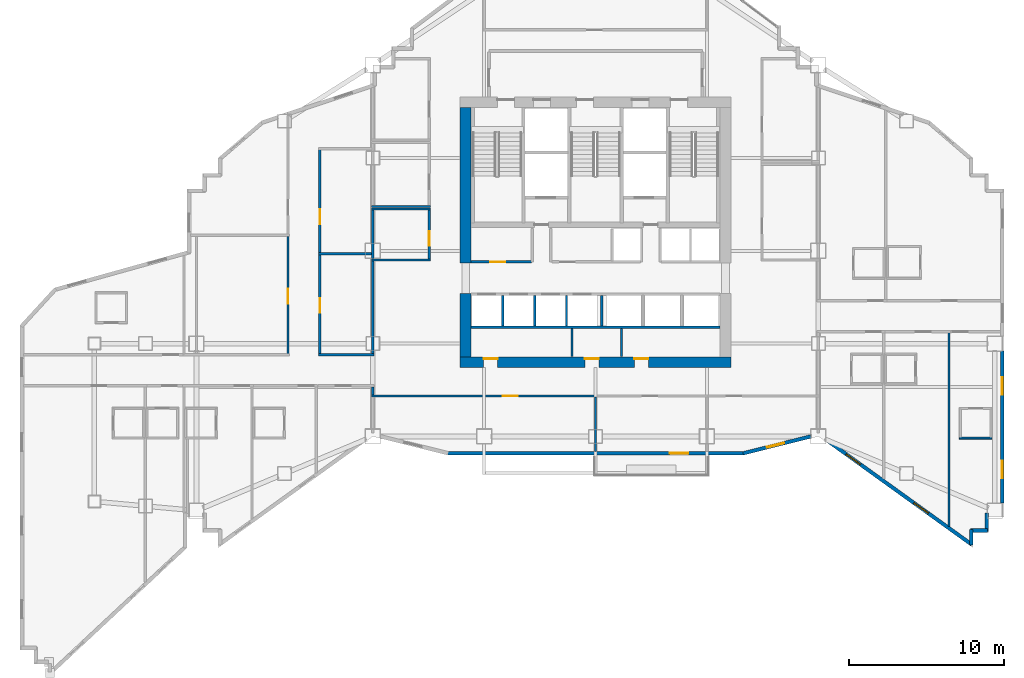
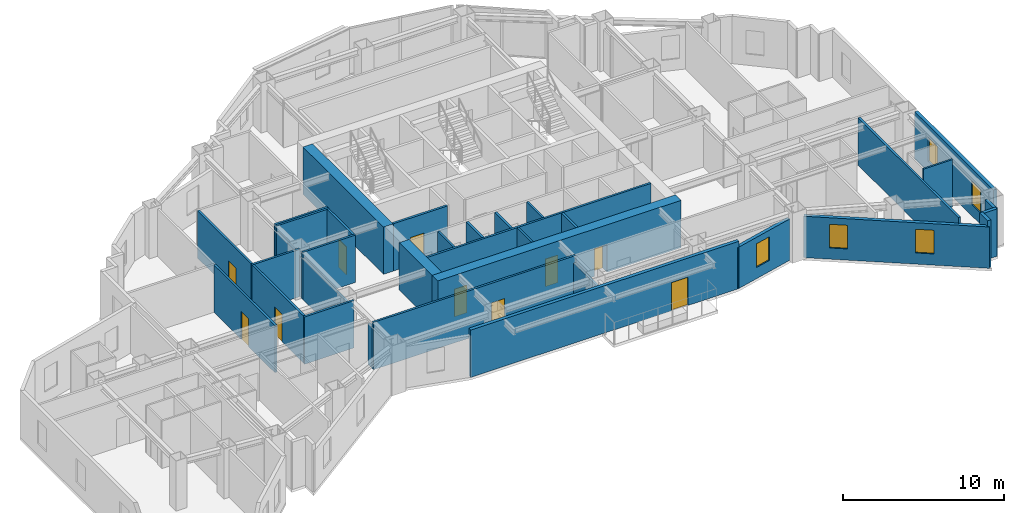
# One storey, part 8 of 14: 34 walls, 10 doors, 5 windows, 15 openings.
"""IFC4 building model written with IfcOpenShell, lengths in metres."""

from ifc_helpers import new_model, si_unit, direction, frame, frame_2d, origin, place, context, subcontext, project, spatial, rectangle, extrude, material, layer, layer_set, type_object, element, fill, save


model = new_model("IFC4")

# Units and contexts
model_context = context("Model", 3, precision=1e-05, world=origin(), true_north=direction((0.0, 1.0)))
body_context = subcontext(model_context, "Body", "Model", "MODEL_VIEW")
ifc_project = project(units=[si_unit("LENGTHUNIT", "METRE"), si_unit("AREAUNIT", "SQUARE_METRE"), si_unit("VOLUMEUNIT", "CUBIC_METRE"), si_unit("PLANEANGLEUNIT", "RADIAN"), si_unit("MASSUNIT", "GRAM", prefix="KILO")], contexts=[model_context])

# Site, building, storey
site_placement = place(None, origin())
site = spatial("IfcSite", under=ifc_project, at=site_placement, CompositionType="ELEMENT")
building_placement = place(site_placement, origin())
building = spatial("IfcBuilding", under=site, at=building_placement, Name="Haolan Belvedere Tower", CompositionType="ELEMENT")
storey_placement = place(building_placement, frame((0.0, 0.0, 141.0)))
storey = spatial("IfcBuildingStorey", under=building, at=storey_placement, Name="L35", CompositionType="ELEMENT", Elevation=141.0)

# Wall, openings, doors
ifc_material_1 = material(Name="Concrete C60/75", Category="concrete")
ifc_layer_1 = layer(ifc_material_1, 0.699951171875, Name="Concrete C60/75")
ifc_layer_set_1 = layer_set([ifc_layer_1], Name="Concrete C60/75")
wall_type_1 = type_object("IfcWallType", Name="WL-CORE-700", PredefinedType="SHEAR", material=ifc_layer_set_1)
wall_1_placement = place(storey_placement, frame((29.64990234375, 26.39990234375, 0.0), z_axis=(0.0, 0.0, 1.0), x_axis=(1.0, 0.0, 0.0)))
wall_1 = element("IfcWall", 1, at=wall_1_placement, inside=storey, type_object=wall_type_1, Name="L35 central core south shear wall", PredefinedType="SHEAR", context=body_context, shape_type="SweptSolid", body=[
    extrude(rectangle(XDim=17.5, YDim=0.699951171875, at=frame_2d((8.75, 0.0))), origin(), (0.0, 0.0, 1.0), 3.60009765625),
])
opening_1_placement = place(wall_1_placement, frame((2.419921875, 0.0, 0.0), z_axis=(0.0, 0.0, 1.0), x_axis=(-1.0, 0.0, 0.0)))
opening_1 = element("IfcOpeningElement", 2, at=opening_1_placement, cuts=wall_1, Name="Opening FD-05", PredefinedType="OPENING", context=body_context, shape_type="SweptSolid", body=[
    extrude(rectangle(XDim=0.89990234375, YDim=2.10009765625, at=frame_2d((0.449951171875, 1.050048828125))), frame((0.0, 0.35986328125, 0.0), z_axis=(0.0, -1.0, 0.0), x_axis=(1.0, 0.0, 0.0)), (0.0, 0.0, 1.0), 0.719970703125),
])
opening_2_placement = place(wall_1_placement, frame((8.9599609375, 0.0, 0.0), z_axis=(0.0, 0.0, 1.0), x_axis=(-1.0, 0.0, 0.0)))
opening_2 = element("IfcOpeningElement", 3, at=opening_2_placement, cuts=wall_1, Name="Opening FD-05", PredefinedType="OPENING", context=body_context, shape_type="SweptSolid", body=[
    extrude(rectangle(XDim=0.89990234375, YDim=2.10009765625, at=frame_2d((0.449951171875, 1.050048828125))), frame((0.0, 0.35986328125, 0.0), z_axis=(0.0, -1.0, 0.0), x_axis=(1.0, 0.0, 0.0)), (0.0, 0.0, 1.0), 0.719970703125),
])
opening_3_placement = place(wall_1_placement, frame((12.159912109375, 0.0, 0.0), z_axis=(0.0, 0.0, 1.0), x_axis=(-1.0, 0.0, 0.0)))
opening_3 = element("IfcOpeningElement", 4, at=opening_3_placement, cuts=wall_1, Name="Opening FD-05", PredefinedType="OPENING", context=body_context, shape_type="SweptSolid", body=[
    extrude(rectangle(XDim=0.89990234375, YDim=2.10009765625, at=frame_2d((0.449951171875, 1.050048828125))), frame((0.0, 0.35986328125, 0.0), z_axis=(0.0, -1.0, 0.0), x_axis=(1.0, 0.0, 0.0)), (0.0, 0.0, 1.0), 0.719970703125),
])
ifc_material_2 = material(Name="Galvanised fire-rated steel", Category="steel")
door_type_1 = type_object("IfcDoorType", Name="DR-FD60-900", OperationType="NOTDEFINED", PredefinedType="DOOR", material=ifc_material_2)
door_1_placement = place(opening_1_placement, origin())
door_1 = element("IfcDoor", 5, at=door_1_placement, inside=storey, type_object=door_type_1, Name="L35 door CD-L35-SCV-1", OperationType="SINGLE_SWING_LEFT", OverallHeight=2.10009765625, OverallWidth=0.89990234375, PredefinedType="DOOR", context=body_context, shape_type="SweptSolid", body=[
    extrude(rectangle(XDim=0.89990234375, YDim=2.10009765625, at=frame_2d((0.449951171875, 1.050048828125))), frame((0.0, -0.19482421875, 0.0), z_axis=(0.0, -1.0, 0.0), x_axis=(1.0, 0.0, 0.0)), (0.0, 0.0, 1.0), 0.050048828125),
])
fill(opening_1, door_1)
door_2_placement = place(opening_2_placement, origin())
door_2 = element("IfcDoor", 6, at=door_2_placement, inside=storey, type_object=door_type_1, Name="L35 door CD-L35-SCV-2", OperationType="SINGLE_SWING_RIGHT", OverallHeight=2.10009765625, OverallWidth=0.89990234375, PredefinedType="DOOR", context=body_context, shape_type="SweptSolid", body=[
    extrude(rectangle(XDim=0.89990234375, YDim=2.10009765625, at=frame_2d((0.449951171875, 1.050048828125))), frame((0.0, -0.19482421875, 0.0), z_axis=(0.0, -1.0, 0.0), x_axis=(1.0, 0.0, 0.0)), (0.0, 0.0, 1.0), 0.050048828125),
])
fill(opening_2, door_2)
door_3_placement = place(opening_3_placement, origin())
door_3 = element("IfcDoor", 7, at=door_3_placement, inside=storey, type_object=door_type_1, Name="L35 door CD-L35-SCV-3", OperationType="SINGLE_SWING_LEFT", OverallHeight=2.10009765625, OverallWidth=0.89990234375, PredefinedType="DOOR", context=body_context, shape_type="SweptSolid", body=[
    extrude(rectangle(XDim=0.89990234375, YDim=2.10009765625, at=frame_2d((0.449951171875, 1.050048828125))), frame((0.0, -0.19482421875, 0.0), z_axis=(0.0, -1.0, 0.0), x_axis=(1.0, 0.0, 0.0)), (0.0, 0.0, 1.0), 0.050048828125),
])
fill(opening_3, door_3)

# Walls
wall_2_placement = place(storey_placement, frame((30.0, 26.75, 0.0), z_axis=(0.0, 0.0, 1.0), x_axis=(0.0, 1.0, 0.0)))
element("IfcWall", 8, at=wall_2_placement, inside=storey, type_object=wall_type_1, Name="L35 central core shear wall WS", PredefinedType="SHEAR", context=body_context, shape_type="SweptSolid", body=[
    extrude(rectangle(XDim=4.10009765625, YDim=0.699951171875, at=frame_2d((2.050048828125, 0.0))), origin(), (0.0, 0.0, 1.0), 3.60009765625),
])
wall_3_placement = place(storey_placement, frame((30.0, 32.800048828125, 0.0), z_axis=(0.0, 0.0, 1.0), x_axis=(0.0, 1.0, 0.0)))
element("IfcWall", 9, at=wall_3_placement, inside=storey, type_object=wall_type_1, Name="L35 central core shear wall WN", PredefinedType="SHEAR", context=body_context, shape_type="SweptSolid", body=[
    extrude(rectangle(XDim=10.050048828125, YDim=0.699951171875, at=frame_2d((5.02490234375, 0.0))), origin(), (0.0, 0.0, 1.0), 3.60009765625),
])

# Wall, opening, door
ifc_material_3 = material(Name="Precast concrete C40/50", Category="concrete")
ifc_layer_2 = layer(ifc_material_3, 0.239990234375, Name="Precast concrete C40/50")
ifc_layer_set_2 = layer_set([ifc_layer_2], Name="Precast concrete C40/50")
wall_type_2 = type_object("IfcWallType", Name="WL-EXT-240", PredefinedType="SOLIDWALL", material=ifc_layer_set_2)
wall_4_placement = place(storey_placement, frame((28.759765625, 20.52001953125, 0.0), z_axis=(0.0, 0.0, 1.0), x_axis=(1.0, 0.0, 0.0)))
wall_4 = element("IfcWall", 10, at=wall_4_placement, inside=storey, type_object=wall_type_2, Name="L35 pale-metal exterior spandrel wall 7.1", PredefinedType="SOLIDWALL", context=body_context, shape_type="SweptSolid", body=[
    extrude(rectangle(XDim=19.280517578125, YDim=0.239990234375, at=frame_2d((9.64013671875, 0.0))), origin(), (0.0, 0.0, 1.0), 3.60009765625),
])
opening_4_placement = place(wall_4_placement, frame((15.64013671875, 0.0, 0.0), z_axis=(0.0, 0.0, 1.0), x_axis=(-1.0, 0.0, 0.0)))
opening_4 = element("IfcOpeningElement", 11, at=opening_4_placement, cuts=wall_4, Name="Opening BD-01", PredefinedType="OPENING", context=body_context, shape_type="SweptSolid", body=[
    extrude(rectangle(XDim=1.199951171875, YDim=2.14990234375, at=frame_2d((0.60009765625, 1.074951171875))), frame((0.0, 0.1298828125, 0.0), z_axis=(0.0, -1.0, 0.0), x_axis=(1.0, 0.0, 0.0)), (0.0, 0.0, 1.0), 0.260009765625),
])
ifc_material_4 = material(Name="Thermally broken pale-metal aluminium and Low-E glass", Category="aluminium")
door_type_2 = type_object("IfcDoorType", Name="DR-BAL-1200", OperationType="NOTDEFINED", PredefinedType="DOOR", material=ifc_material_4)
door_4_placement = place(opening_4_placement, origin())
door_4 = element("IfcDoor", 12, at=door_4_placement, inside=storey, type_object=door_type_2, Name="L35 tree-balcony access door 1", OperationType="SINGLE_SWING_LEFT", OverallHeight=2.14990234375, OverallWidth=1.199951171875, PredefinedType="DOOR", context=body_context, shape_type="SweptSolid", body=[
    extrude(rectangle(XDim=1.199951171875, YDim=2.14990234375, at=frame_2d((0.60009765625, 1.074951171875))), frame((0.0, 0.02490234375, 0.0), z_axis=(0.0, -1.0, 0.0), x_axis=(1.0, 0.0, 0.0)), (0.0, 0.0, 1.0), 0.050048828125),
])
fill(opening_4, door_4)

# Wall, opening, window
wall_5_placement = place(storey_placement, frame((47.931884765625, 20.506591796875, 0.0), z_axis=(0.0, 0.0, 1.0), x_axis=(0.970145683738, 0.242522890311, 0.0)))
wall_5 = element("IfcWall", 13, at=wall_5_placement, inside=storey, type_object=wall_type_2, Name="L35 pale-metal exterior spandrel wall 8.1", PredefinedType="SOLIDWALL", context=body_context, shape_type="SweptSolid", body=[
    extrude(rectangle(XDim=4.510986328125, YDim=0.239990234375, at=frame_2d((2.25537109375, 0.0))), origin(), (0.0, 0.0, 1.0), 3.14501953125),
])
opening_5_placement = place(wall_5_placement, frame((1.60009765625, 0.0, 0.85009765625)))
opening_5 = element("IfcOpeningElement", 14, at=opening_5_placement, cuts=wall_5, Name="Opening W-02", PredefinedType="OPENING", context=body_context, shape_type="SweptSolid", body=[
    extrude(rectangle(XDim=1.14990234375, YDim=1.800048828125, at=frame_2d((0.574951171875, 0.89990234375))), frame((0.0, 0.1298828125, 0.0), z_axis=(0.0, -1.0, 0.0), x_axis=(1.0, 0.0, 0.0)), (0.0, 0.0, 1.0), 0.260009765625),
])
ifc_material_5 = material(Name="Anodised aluminium 6063-T6 and Low-E glass", Category="aluminium")
window_type = type_object("IfcWindowType", Name="WN-DECO-Z2", PartitioningType="SINGLE_PANEL", PredefinedType="WINDOW", material=ifc_material_5)
window_1_placement = place(opening_5_placement, origin())
window_1 = element("IfcWindow", 15, at=window_1_placement, inside=storey, type_object=window_type, Name="L35 Art Deco chevron window 1", OverallHeight=1.800048828125, OverallWidth=1.14990234375, PartitioningType="SINGLE_PANEL", PredefinedType="WINDOW", context=body_context, shape_type="SweptSolid", body=[
    extrude(rectangle(XDim=1.14990234375, YDim=1.800048828125, at=frame_2d((0.574951171875, 0.89990234375))), frame((0.0, 0.030029296875, 0.0), z_axis=(0.0, -1.0, 0.0), x_axis=(1.0, 0.0, 0.0)), (0.0, 0.0, 1.0), 0.06005859375),
])
fill(opening_5, window_1)

# Wall, openings, windows
wall_6_placement = place(storey_placement, frame((53.2919921875, 21.3935546875, 0.0), z_axis=(0.0, 0.0, 1.0), x_axis=(0.811543504691, -0.584291998913, 0.0)))
wall_6 = element("IfcWall", 16, at=wall_6_placement, inside=storey, type_object=wall_type_2, Name="L35 pale-metal exterior spandrel wall 9.1", PredefinedType="SOLIDWALL", context=body_context, shape_type="SweptSolid", body=[
    extrude(rectangle(XDim=11.623046875, YDim=0.239990234375, at=frame_2d((5.8115234375, 0.0))), origin(), (0.0, 0.0, 1.0), 3.14501953125),
])
opening_6_placement = place(wall_6_placement, frame((1.60009765625, 0.0, 0.85009765625)))
opening_6 = element("IfcOpeningElement", 17, at=opening_6_placement, cuts=wall_6, Name="Opening W-02", PredefinedType="OPENING", context=body_context, shape_type="SweptSolid", body=[
    extrude(rectangle(XDim=1.14990234375, YDim=1.800048828125, at=frame_2d((0.574951171875, 0.89990234375))), frame((0.0, 0.1298828125, 0.0), z_axis=(0.0, -1.0, 0.0), x_axis=(1.0, 0.0, 0.0)), (0.0, 0.0, 1.0), 0.260009765625),
])
opening_7_placement = place(wall_6_placement, frame((7.0, 0.0, 0.85009765625)))
opening_7 = element("IfcOpeningElement", 18, at=opening_7_placement, cuts=wall_6, Name="Opening W-02", PredefinedType="OPENING", context=body_context, shape_type="SweptSolid", body=[
    extrude(rectangle(XDim=1.14990234375, YDim=1.800048828125, at=frame_2d((0.574951171875, 0.89990234375))), frame((0.0, 0.1298828125, 0.0), z_axis=(0.0, -1.0, 0.0), x_axis=(1.0, 0.0, 0.0)), (0.0, 0.0, 1.0), 0.260009765625),
])
window_2_placement = place(opening_6_placement, origin())
window_2 = element("IfcWindow", 19, at=window_2_placement, inside=storey, type_object=window_type, Name="L35 Art Deco chevron window 1", OverallHeight=1.800048828125, OverallWidth=1.14990234375, PartitioningType="SINGLE_PANEL", PredefinedType="WINDOW", context=body_context, shape_type="SweptSolid", body=[
    extrude(rectangle(XDim=1.14990234375, YDim=1.800048828125, at=frame_2d((0.574951171875, 0.89990234375))), frame((0.0, 0.030029296875, 0.0), z_axis=(0.0, -1.0, 0.0), x_axis=(1.0, 0.0, 0.0)), (0.0, 0.0, 1.0), 0.06005859375),
])
fill(opening_6, window_2)
window_3_placement = place(opening_7_placement, origin())
window_3 = element("IfcWindow", 20, at=window_3_placement, inside=storey, type_object=window_type, Name="L35 Art Deco chevron window 2", OverallHeight=1.800048828125, OverallWidth=1.14990234375, PartitioningType="SINGLE_PANEL", PredefinedType="WINDOW", context=body_context, shape_type="SweptSolid", body=[
    extrude(rectangle(XDim=1.14990234375, YDim=1.800048828125, at=frame_2d((0.574951171875, 0.89990234375))), frame((0.0, 0.030029296875, 0.0), z_axis=(0.0, -1.0, 0.0), x_axis=(1.0, 0.0, 0.0)), (0.0, 0.0, 1.0), 0.06005859375),
])
fill(opening_7, window_3)

# Walls
wall_7_placement = place(storey_placement, frame((62.679931640625, 14.579345703125, 0.0), z_axis=(0.0, 0.0, 1.0), x_axis=(0.0, 1.0, 0.0)))
element("IfcWall", 21, at=wall_7_placement, inside=storey, type_object=wall_type_2, Name="L35 pale-metal exterior spandrel wall 10.1", PredefinedType="SOLIDWALL", context=body_context, shape_type="SweptSolid", body=[
    extrude(rectangle(XDim=0.99560546875, YDim=0.239990234375, at=frame_2d((0.497802734375, 0.0))), origin(), (0.0, 0.0, 1.0), 3.60009765625),
])
wall_8_placement = place(storey_placement, frame((62.625, 15.52001953125, 0.0), z_axis=(0.0, 0.0, 1.0), x_axis=(1.0, 0.0, 0.0)))
element("IfcWall", 22, at=wall_8_placement, inside=storey, type_object=wall_type_2, Name="L35 pale-metal exterior spandrel wall 11.1", PredefinedType="SOLIDWALL", context=body_context, shape_type="SweptSolid", body=[
    extrude(rectangle(XDim=1.110107421875, YDim=0.239990234375, at=frame_2d((0.55517578125, 0.0))), origin(), (0.0, 0.0, 1.0), 3.60009765625),
])
wall_9_placement = place(storey_placement, frame((63.679931640625, 15.465087890625, 0.0), z_axis=(0.0, 0.0, 1.0), x_axis=(0.0, 1.0, 0.0)))
element("IfcWall", 23, at=wall_9_placement, inside=storey, type_object=wall_type_2, Name="L35 pale-metal exterior spandrel wall 12.1", PredefinedType="SOLIDWALL", context=body_context, shape_type="SweptSolid", body=[
    extrude(rectangle(XDim=1.1748046875, YDim=0.239990234375, at=frame_2d((0.58740234375, 0.0))), origin(), (0.0, 0.0, 1.0), 3.60009765625),
])

# Wall, openings, windows
wall_10_placement = place(storey_placement, frame((64.679931640625, 17.2919921875, 0.0), z_axis=(0.0, 0.0, 1.0), x_axis=(0.0, 1.0, 0.0)))
wall_10 = element("IfcWall", 24, at=wall_10_placement, inside=storey, type_object=wall_type_2, Name="L35 pale-metal exterior spandrel wall 14.1", PredefinedType="SOLIDWALL", context=body_context, shape_type="SweptSolid", body=[
    extrude(rectangle(XDim=9.81591796875, YDim=0.239990234375, at=frame_2d((4.907958984375, 0.0))), origin(), (0.0, 0.0, 1.0), 3.60009765625),
])
opening_8_placement = place(wall_10_placement, frame((1.60009765625, 0.0, 0.85009765625)))
opening_8 = element("IfcOpeningElement", 25, at=opening_8_placement, cuts=wall_10, Name="Opening W-02", PredefinedType="OPENING", context=body_context, shape_type="SweptSolid", body=[
    extrude(rectangle(XDim=1.14990234375, YDim=1.800048828125, at=frame_2d((0.574951171875, 0.89990234375))), frame((0.0, 0.1298828125, 0.0), z_axis=(0.0, -1.0, 0.0), x_axis=(1.0, 0.0, 0.0)), (0.0, 0.0, 1.0), 0.260009765625),
])
opening_9_placement = place(wall_10_placement, frame((7.0, 0.0, 0.85009765625)))
opening_9 = element("IfcOpeningElement", 26, at=opening_9_placement, cuts=wall_10, Name="Opening W-02", PredefinedType="OPENING", context=body_context, shape_type="SweptSolid", body=[
    extrude(rectangle(XDim=1.14990234375, YDim=1.800048828125, at=frame_2d((0.574951171875, 0.89990234375))), frame((0.0, 0.1298828125, 0.0), z_axis=(0.0, -1.0, 0.0), x_axis=(1.0, 0.0, 0.0)), (0.0, 0.0, 1.0), 0.260009765625),
])
window_4_placement = place(opening_8_placement, origin())
window_4 = element("IfcWindow", 27, at=window_4_placement, inside=storey, type_object=window_type, Name="L35 Art Deco chevron window 1", OverallHeight=1.800048828125, OverallWidth=1.14990234375, PartitioningType="SINGLE_PANEL", PredefinedType="WINDOW", context=body_context, shape_type="SweptSolid", body=[
    extrude(rectangle(XDim=1.14990234375, YDim=1.800048828125, at=frame_2d((0.574951171875, 0.89990234375))), frame((0.0, 0.030029296875, 0.0), z_axis=(0.0, -1.0, 0.0), x_axis=(1.0, 0.0, 0.0)), (0.0, 0.0, 1.0), 0.06005859375),
])
fill(opening_8, window_4)
window_5_placement = place(opening_9_placement, origin())
window_5 = element("IfcWindow", 28, at=window_5_placement, inside=storey, type_object=window_type, Name="L35 Art Deco chevron window 2", OverallHeight=1.800048828125, OverallWidth=1.14990234375, PartitioningType="SINGLE_PANEL", PredefinedType="WINDOW", context=body_context, shape_type="SweptSolid", body=[
    extrude(rectangle(XDim=1.14990234375, YDim=1.800048828125, at=frame_2d((0.574951171875, 0.89990234375))), frame((0.0, 0.030029296875, 0.0), z_axis=(0.0, -1.0, 0.0), x_axis=(1.0, 0.0, 0.0)), (0.0, 0.0, 1.0), 0.06005859375),
])
fill(opening_9, window_5)

# Walls
ifc_material_6 = material(Name="Double gypsum acoustic stud partition", Category="masonry")
ifc_layer_3 = layer(ifc_material_6, 0.14990234375, Name="Double gypsum acoustic stud partition")
ifc_layer_set_3 = layer_set([ifc_layer_3], Name="Double gypsum acoustic stud partition")
wall_type_3 = type_object("IfcWallType", Name="WL-PART-150", PredefinedType="PARTITIONING", material=ifc_layer_set_3)
wall_11_placement = place(storey_placement, frame((30.35009765625, 28.659912109375, 0.0), z_axis=(0.0, 0.0, 1.0), x_axis=(1.0, 0.0, 0.0)))
element("IfcWall", 29, at=wall_11_placement, inside=storey, type_object=wall_type_3, Name="L35 interior partition IW-L35-SSTRIP-N", PredefinedType="PARTITIONING", context=body_context, shape_type="SweptSolid", body=[
    extrude(rectangle(XDim=16.099853515625, YDim=0.14990234375, at=frame_2d((8.0498046875, 0.0))), origin(), (0.0, 0.0, 1.0), 3.60009765625),
])
for number, where, z_axis, x_axis, name in (
    (30, (36.8798828125, 26.760009765625, 0.0), (0.0, 0.0, 1.0), (0.0, 1.0, 0.0), "L35 interior partition IW-L35-SCV-DIV-1"),
    (31, (40.080078125, 26.760009765625, 0.0), (0.0, 0.0, 1.0), (0.0, 1.0, 0.0), "L35 interior partition IW-L35-SCV-DIV-2"),
):
    element("IfcWall", number, at=place(storey_placement, frame(where, z_axis=z_axis, x_axis=x_axis)), inside=storey, type_object=wall_type_3, Name=name, PredefinedType="PARTITIONING", context=body_context, shape_type="SweptSolid", body=[
        extrude(rectangle(XDim=1.820068359375, YDim=0.14990234375, at=frame_2d((0.91015625, 0.0))), origin(), (0.0, 0.0, 1.0), 3.60009765625),
    ])
for number, where, z_axis, x_axis, name in (
    (32, (23.919921875, 36.300048828125, 0.0), (0.0, 0.0, 1.0), (1.0, 0.0, 0.0), "L35 interior partition IW-L35-AWC-N"),
    (33, (23.919921875, 33.0, 0.0), (0.0, 0.0, 1.0), (1.0, 0.0, 0.0), "L35 interior partition IW-L35-AWC-S"),
):
    element("IfcWall", number, at=place(storey_placement, frame(where, z_axis=z_axis, x_axis=x_axis)), inside=storey, type_object=wall_type_3, Name=name, PredefinedType="PARTITIONING", context=body_context, shape_type="SweptSolid", body=[
        extrude(rectangle(XDim=3.800048828125, YDim=0.14990234375, at=frame_2d((1.89990234375, 0.0))), origin(), (0.0, 0.0, 1.0), 3.60009765625),
    ])
wall_12_placement = place(storey_placement, frame((24.0, 33.06005859375, 0.0), z_axis=(0.0, 0.0, 1.0), x_axis=(0.0, 1.0, 0.0)))
element("IfcWall", 34, at=wall_12_placement, inside=storey, type_object=wall_type_3, Name="L35 interior partition IW-L35-AWC-W", PredefinedType="PARTITIONING", context=body_context, shape_type="SweptSolid", body=[
    extrude(rectangle(XDim=3.179931640625, YDim=0.14990234375, at=frame_2d((1.58984375, 0.0))), origin(), (0.0, 0.0, 1.0), 3.14501953125),
])

# Wall, opening, door
wall_13_placement = place(storey_placement, frame((27.639892578125, 33.06005859375, 0.0), z_axis=(0.0, 0.0, 1.0), x_axis=(0.0, 1.0, 0.0)))
wall_13 = element("IfcWall", 35, at=wall_13_placement, inside=storey, type_object=wall_type_3, Name="L35 interior partition IW-L35-AWC-E", PredefinedType="PARTITIONING", context=body_context, shape_type="SweptSolid", body=[
    extrude(rectangle(XDim=3.179931640625, YDim=0.14990234375, at=frame_2d((1.58984375, 0.0))), origin(), (0.0, 0.0, 1.0), 3.60009765625),
])
opening_10_placement = place(wall_13_placement, frame((1.81005859375, 0.0, 0.0), z_axis=(0.0, 0.0, 1.0), x_axis=(-1.0, 0.0, 0.0)))
opening_10 = element("IfcOpeningElement", 36, at=opening_10_placement, cuts=wall_13, Name="Opening ID-03", PredefinedType="OPENING", context=body_context, shape_type="SweptSolid", body=[
    extrude(rectangle(XDim=0.949951171875, YDim=2.1201171875, at=frame_2d((0.47509765625, 1.06005859375))), frame((0.0, 0.0849609375, 0.0), z_axis=(0.0, -1.0, 0.0), x_axis=(1.0, 0.0, 0.0)), (0.0, 0.0, 1.0), 0.169921875),
])
ifc_material_7 = material(Name="Painted solid-core timber", Category="wood")
door_type_3 = type_object("IfcDoorType", Name="DR-INT-950", OperationType="NOTDEFINED", PredefinedType="DOOR", material=ifc_material_7)
door_5_placement = place(opening_10_placement, origin())
door_5 = element("IfcDoor", 37, at=door_5_placement, inside=storey, type_object=door_type_3, Name="L35 door ID-L35-AWC", OperationType="SINGLE_SWING_LEFT", OverallHeight=2.1201171875, OverallWidth=0.949951171875, PredefinedType="DOOR", context=body_context, shape_type="SweptSolid", body=[
    extrude(rectangle(XDim=0.949951171875, YDim=2.1201171875, at=frame_2d((0.47509765625, 1.06005859375))), frame((0.0, 0.02490234375, 0.0), z_axis=(0.0, -1.0, 0.0), x_axis=(1.0, 0.0, 0.0)), (0.0, 0.0, 1.0), 0.050048828125),
])
fill(opening_10, door_5)

# Wall
wall_14_placement = place(storey_placement, frame((23.919921875, 36.4599609375, 0.0), z_axis=(0.0, 0.0, 1.0), x_axis=(1.0, 0.0, 0.0)))
element("IfcWall", 38, at=wall_14_placement, inside=storey, type_object=wall_type_3, Name="L35 interior partition IW-L35-PNT-S", PredefinedType="PARTITIONING", context=body_context, shape_type="SweptSolid", body=[
    extrude(rectangle(XDim=3.800048828125, YDim=0.14990234375, at=frame_2d((1.89990234375, 0.0))), origin(), (0.0, 0.0, 1.0), 3.60009765625),
])

# Wall, opening, door
wall_15_placement = place(storey_placement, frame((23.919921875, 24.219970703125, 0.0), z_axis=(0.0, 0.0, 1.0), x_axis=(1.0, 0.0, 0.0)))
wall_15 = element("IfcWall", 39, at=wall_15_placement, inside=storey, type_object=wall_type_3, Name="L35 interior partition IW-L35-KS1-N", PredefinedType="PARTITIONING", context=body_context, shape_type="SweptSolid", body=[
    extrude(rectangle(XDim=14.56005859375, YDim=0.14990234375, at=frame_2d((7.280029296875, 0.0))), origin(), (0.0, 0.0, 1.0), 3.60009765625),
])
opening_11_placement = place(wall_15_placement, frame((9.445068359375, 0.0, 0.0), z_axis=(0.0, 0.0, 1.0), x_axis=(-1.0, 0.0, 0.0)))
opening_11 = element("IfcOpeningElement", 40, at=opening_11_placement, cuts=wall_15, Name="Opening ID-03", PredefinedType="OPENING", context=body_context, shape_type="SweptSolid", body=[
    extrude(rectangle(XDim=0.949951171875, YDim=2.1201171875, at=frame_2d((0.47509765625, 1.06005859375))), frame((0.0, 0.0849609375, 0.0), z_axis=(0.0, -1.0, 0.0), x_axis=(1.0, 0.0, 0.0)), (0.0, 0.0, 1.0), 0.169921875),
])
door_6_placement = place(opening_11_placement, origin())
door_6 = element("IfcDoor", 41, at=door_6_placement, inside=storey, type_object=door_type_3, Name="L35 door ID-L35-KS1", OperationType="SINGLE_SWING_LEFT", OverallHeight=2.1201171875, OverallWidth=0.949951171875, PredefinedType="DOOR", context=body_context, shape_type="SweptSolid", body=[
    extrude(rectangle(XDim=0.949951171875, YDim=2.1201171875, at=frame_2d((0.47509765625, 1.06005859375))), frame((0.0, 0.02490234375, 0.0), z_axis=(0.0, -1.0, 0.0), x_axis=(1.0, 0.0, 0.0)), (0.0, 0.0, 1.0), 0.050048828125),
])
fill(opening_11, door_6)

# Wall
wall_16_placement = place(storey_placement, frame((38.39990234375, 20.625, 0.0), z_axis=(0.0, 0.0, 1.0), x_axis=(0.0, 1.0, 0.0)))
element("IfcWall", 42, at=wall_16_placement, inside=storey, type_object=wall_type_3, Name="L35 interior partition IW-L35-KS1-E", PredefinedType="PARTITIONING", context=body_context, shape_type="SweptSolid", body=[
    extrude(rectangle(XDim=3.534912109375, YDim=0.14990234375, at=frame_2d((1.767578125, 0.0))), origin(), (0.0, 0.0, 1.0), 3.0849609375),
])

# Wall, opening, door
wall_17_placement = place(storey_placement, frame((18.52001953125, 26.93994140625, 0.0), z_axis=(0.0, 0.0, 1.0), x_axis=(0.0, 1.0, 0.0)))
wall_17 = element("IfcWall", 43, at=wall_17_placement, inside=storey, type_object=wall_type_3, Name="L35 interior partition IW-L35-T2W1-E", PredefinedType="PARTITIONING", context=body_context, shape_type="SweptSolid", body=[
    extrude(rectangle(XDim=7.60009765625, YDim=0.14990234375, at=frame_2d((3.800048828125, 0.0))), origin(), (0.0, 0.0, 1.0), 3.60009765625),
])
opening_12_placement = place(wall_17_placement, frame((4.195068359375, 0.0, 0.0), z_axis=(0.0, 0.0, 1.0), x_axis=(-1.0, 0.0, 0.0)))
opening_12 = element("IfcOpeningElement", 44, at=opening_12_placement, cuts=wall_17, Name="Opening ID-03", PredefinedType="OPENING", context=body_context, shape_type="SweptSolid", body=[
    extrude(rectangle(XDim=0.949951171875, YDim=2.1201171875, at=frame_2d((0.47509765625, 1.06005859375))), frame((0.0, 0.0849609375, 0.0), z_axis=(0.0, -1.0, 0.0), x_axis=(1.0, 0.0, 0.0)), (0.0, 0.0, 1.0), 0.169921875),
])
door_7_placement = place(opening_12_placement, origin())
door_7 = element("IfcDoor", 45, at=door_7_placement, inside=storey, type_object=door_type_3, Name="L35 door ID-L35-T2W1", OperationType="SINGLE_SWING_LEFT", OverallHeight=2.1201171875, OverallWidth=0.949951171875, PredefinedType="DOOR", context=body_context, shape_type="SweptSolid", body=[
    extrude(rectangle(XDim=0.949951171875, YDim=2.1201171875, at=frame_2d((0.47509765625, 1.06005859375))), frame((0.0, 0.02490234375, 0.0), z_axis=(0.0, -1.0, 0.0), x_axis=(1.0, 0.0, 0.0)), (0.0, 0.0, 1.0), 0.050048828125),
])
fill(opening_12, door_7)

# Walls
wall_18_placement = place(storey_placement, frame((20.5, 33.39990234375, 0.0), z_axis=(0.0, 0.0, 1.0), x_axis=(1.0, 0.0, 0.0)))
element("IfcWall", 46, at=wall_18_placement, inside=storey, type_object=wall_type_3, Name="L35 interior partition IW-L35-T2E1-N", PredefinedType="PARTITIONING", context=body_context, shape_type="SweptSolid", body=[
    extrude(rectangle(XDim=3.43994140625, YDim=0.14990234375, at=frame_2d((1.719970703125, 0.0))), origin(), (0.0, 0.0, 1.0), 3.60009765625),
])
wall_19_placement = place(storey_placement, frame((20.5, 26.8798828125, 0.0), z_axis=(0.0, 0.0, 1.0), x_axis=(1.0, 0.0, 0.0)))
element("IfcWall", 47, at=wall_19_placement, inside=storey, type_object=wall_type_3, Name="L35 interior partition IW-L35-T2E1-S", PredefinedType="PARTITIONING", context=body_context, shape_type="SweptSolid", body=[
    extrude(rectangle(XDim=3.580078125, YDim=0.14990234375, at=frame_2d((1.7900390625, 0.0))), origin(), (0.0, 0.0, 1.0), 3.60009765625),
])

# Wall, opening, door
wall_20_placement = place(storey_placement, frame((20.580078125, 26.93994140625, 0.0), z_axis=(0.0, 0.0, 1.0), x_axis=(0.0, 1.0, 0.0)))
wall_20 = element("IfcWall", 48, at=wall_20_placement, inside=storey, type_object=wall_type_3, Name="L35 interior partition IW-L35-T2E1-W", PredefinedType="PARTITIONING", context=body_context, shape_type="SweptSolid", body=[
    extrude(rectangle(XDim=6.400146484375, YDim=0.14990234375, at=frame_2d((3.2001953125, 0.0))), origin(), (0.0, 0.0, 1.0), 3.60009765625),
])
opening_13_placement = place(wall_20_placement, frame((2.64501953125, 0.0, 0.0)))
opening_13 = element("IfcOpeningElement", 49, at=opening_13_placement, cuts=wall_20, Name="Opening ID-03", PredefinedType="OPENING", context=body_context, shape_type="SweptSolid", body=[
    extrude(rectangle(XDim=0.949951171875, YDim=2.1201171875, at=frame_2d((0.47509765625, 1.06005859375))), frame((0.0, 0.0849609375, 0.0), z_axis=(0.0, -1.0, 0.0), x_axis=(1.0, 0.0, 0.0)), (0.0, 0.0, 1.0), 0.169921875),
])
door_8_placement = place(opening_13_placement, origin())
door_8 = element("IfcDoor", 50, at=door_8_placement, inside=storey, type_object=door_type_3, Name="L35 door ID-L35-T2E1", OperationType="SINGLE_SWING_LEFT", OverallHeight=2.1201171875, OverallWidth=0.949951171875, PredefinedType="DOOR", context=body_context, shape_type="SweptSolid", body=[
    extrude(rectangle(XDim=0.949951171875, YDim=2.1201171875, at=frame_2d((0.47509765625, 1.06005859375))), frame((0.0, 0.02490234375, 0.0), z_axis=(0.0, -1.0, 0.0), x_axis=(1.0, 0.0, 0.0)), (0.0, 0.0, 1.0), 0.050048828125),
])
fill(opening_13, door_8)

# Wall
wall_21_placement = place(storey_placement, frame((24.0, 26.93994140625, 0.0), z_axis=(0.0, 0.0, 1.0), x_axis=(0.0, 1.0, 0.0)))
element("IfcWall", 51, at=wall_21_placement, inside=storey, type_object=wall_type_3, Name="L35 interior partition IW-L35-T2E1-E", PredefinedType="PARTITIONING", context=body_context, shape_type="SweptSolid", body=[
    extrude(rectangle(XDim=6.0, YDim=0.14990234375, at=frame_2d((3.0, 0.0))), origin(), (0.0, 0.0, 1.0), 3.14501953125),
])

# Wall, opening, door
wall_22_placement = place(storey_placement, frame((20.580078125, 33.4599609375, 0.0), z_axis=(0.0, 0.0, 1.0), x_axis=(0.0, 1.0, 0.0)))
wall_22 = element("IfcWall", 52, at=wall_22_placement, inside=storey, type_object=wall_type_3, Name="L35 interior partition IW-L35-T2E2-W", PredefinedType="PARTITIONING", context=body_context, shape_type="SweptSolid", body=[
    extrude(rectangle(XDim=6.679931640625, YDim=0.14990234375, at=frame_2d((3.33984375, 0.0))), origin(), (0.0, 0.0, 1.0), 3.60009765625),
])
opening_14_placement = place(wall_22_placement, frame((1.864990234375, 0.0, 0.0)))
opening_14 = element("IfcOpeningElement", 53, at=opening_14_placement, cuts=wall_22, Name="Opening ID-03", PredefinedType="OPENING", context=body_context, shape_type="SweptSolid", body=[
    extrude(rectangle(XDim=0.949951171875, YDim=2.1201171875, at=frame_2d((0.47509765625, 1.06005859375))), frame((0.0, 0.0849609375, 0.0), z_axis=(0.0, -1.0, 0.0), x_axis=(1.0, 0.0, 0.0)), (0.0, 0.0, 1.0), 0.169921875),
])
door_9_placement = place(opening_14_placement, origin())
door_9 = element("IfcDoor", 54, at=door_9_placement, inside=storey, type_object=door_type_3, Name="L35 door ID-L35-T2E2", OperationType="SINGLE_SWING_RIGHT", OverallHeight=2.1201171875, OverallWidth=0.949951171875, PredefinedType="DOOR", context=body_context, shape_type="SweptSolid", body=[
    extrude(rectangle(XDim=0.949951171875, YDim=2.1201171875, at=frame_2d((0.47509765625, 1.06005859375))), frame((0.0, 0.02490234375, 0.0), z_axis=(0.0, -1.0, 0.0), x_axis=(1.0, 0.0, 0.0)), (0.0, 0.0, 1.0), 0.050048828125),
])
fill(opening_14, door_9)

# Walls
wall_23_placement = place(storey_placement, frame((24.0, 24.280029296875, 0.0), z_axis=(0.0, 0.0, 1.0), x_axis=(0.0, 1.0, 0.0)))
element("IfcWall", 55, at=wall_23_placement, inside=storey, type_object=wall_type_3, Name="L35 interior partition IW-L35-T2S3-E", PredefinedType="PARTITIONING", context=body_context, shape_type="SweptSolid", body=[
    extrude(rectangle(XDim=0.530029296875, YDim=0.14990234375, at=frame_2d((0.26513671875, 0.0))), origin(), (0.0, 0.0, 1.0), 3.14501953125),
])
wall_24_placement = place(storey_placement, frame((61.25, 15.793212890625, 0.0), z_axis=(0.0, 0.0, 1.0), x_axis=(0.0, 1.0, 0.0)))
element("IfcWall", 56, at=wall_24_placement, inside=storey, type_object=wall_type_3, Name="L35 interior partition IW-L35-T4S2-E", PredefinedType="PARTITIONING", context=body_context, shape_type="SweptSolid", body=[
    extrude(rectangle(XDim=12.516845703125, YDim=0.14990234375, at=frame_2d((6.25830078125, 0.0))), origin(), (0.0, 0.0, 1.0), 3.60009765625),
])

# Wall, opening, door
ifc_material_8 = material(Name="Gypsum fire shaftwall assembly", Category="masonry")
ifc_layer_4 = layer(ifc_material_8, 0.1650390625, Name="Gypsum fire shaftwall assembly")
ifc_layer_set_4 = layer_set([ifc_layer_4], Name="Gypsum fire shaftwall assembly")
wall_type_4 = type_object("IfcWallType", Name="WL-SHAFT-160", PredefinedType="SOLIDWALL", material=ifc_layer_set_4)
wall_25_placement = place(storey_placement, frame((30.35009765625, 32.8798828125, 0.0), z_axis=(0.0, 0.0, 1.0), x_axis=(1.0, 0.0, 0.0)))
wall_25 = element("IfcWall", 57, at=wall_25_placement, inside=storey, type_object=wall_type_4, Name="L35 interior partition IW-L35-ROW-PN1", PredefinedType="SOLIDWALL", context=body_context, shape_type="SweptSolid", body=[
    extrude(rectangle(XDim=3.89990234375, YDim=0.159912109375, at=frame_2d((1.949951171875, 0.0))), origin(), (0.0, 0.0, 1.0), 3.60009765625),
])
opening_15_placement = place(wall_25_placement, frame((2.199951171875, 0.0, 0.0), z_axis=(0.0, 0.0, 1.0), x_axis=(-1.0, 0.0, 0.0)))
opening_15 = element("IfcOpeningElement", 58, at=opening_15_placement, cuts=wall_25, Name="Opening ID-03", PredefinedType="OPENING", context=body_context, shape_type="SweptSolid", body=[
    extrude(rectangle(XDim=0.949951171875, YDim=2.1201171875, at=frame_2d((0.47509765625, 1.06005859375))), frame((0.0, 0.08984375, 0.0), z_axis=(0.0, -1.0, 0.0), x_axis=(1.0, 0.0, 0.0)), (0.0, 0.0, 1.0), 0.179931640625),
])
door_10_placement = place(opening_15_placement, origin())
door_10 = element("IfcDoor", 59, at=door_10_placement, inside=storey, type_object=door_type_3, Name="L35 door ID-L35-CD-RPLW", OperationType="SINGLE_SWING_LEFT", OverallHeight=2.1201171875, OverallWidth=0.949951171875, PredefinedType="DOOR", context=body_context, shape_type="SweptSolid", body=[
    extrude(rectangle(XDim=0.949951171875, YDim=2.1201171875, at=frame_2d((0.47509765625, 1.06005859375))), frame((0.0, 0.02490234375, 0.0), z_axis=(0.0, -1.0, 0.0), x_axis=(1.0, 0.0, 0.0)), (0.0, 0.0, 1.0), 0.050048828125),
])
fill(opening_15, door_10)

# Walls
for number, where, z_axis, x_axis, name in (
    (60, (32.39990234375, 28.735107421875, 0.0), (0.0, 0.0, 1.0), (0.0, 1.0, 0.0), "L35 interior partition IW-L35-DIV-PM1"),
    (61, (34.4599609375, 28.735107421875, 0.0), (0.0, 0.0, 1.0), (0.0, 1.0, 0.0), "L35 interior partition IW-L35-DIV-PM2"),
    (62, (36.52001953125, 28.735107421875, 0.0), (0.0, 0.0, 1.0), (0.0, 1.0, 0.0), "L35 interior partition IW-L35-DIV-PM3"),
    (63, (38.800048828125, 28.735107421875, 0.0), (0.0, 0.0, 1.0), (0.0, 1.0, 0.0), "L35 interior partition IW-L35-DIV-PM4"),
):
    element("IfcWall", number, at=place(storey_placement, frame(where, z_axis=z_axis, x_axis=x_axis)), inside=storey, type_object=wall_type_4, Name=name, PredefinedType="SOLIDWALL", context=body_context, shape_type="SweptSolid", body=[
        extrude(rectangle(XDim=1.98486328125, YDim=0.14990234375, at=frame_2d((0.992431640625, 0.0))), origin(), (0.0, 0.0, 1.0), 3.60009765625),
    ])
ifc_material_9 = material(Name="Moisture-resistant gypsum tile partition", Category="masonry")
ifc_layer_5 = layer(ifc_material_9, 0.1201171875, Name="Moisture-resistant gypsum tile partition")
ifc_layer_set_5 = layer_set([ifc_layer_5], Name="Moisture-resistant gypsum tile partition")
wall_type_5 = type_object("IfcWallType", Name="WL-WET-120", PredefinedType="PARTITIONING", material=ifc_layer_set_5)
wall_26_placement = place(storey_placement, frame((61.9169921875, 21.489990234375, 0.0), z_axis=(0.0, 0.0, 1.0), x_axis=(1.0, 0.0, 0.0)))
element("IfcWall", 64, at=wall_26_placement, inside=storey, type_object=wall_type_5, Name="L35 interior partition IW-L35-T4S3-BS", PredefinedType="PARTITIONING", context=body_context, shape_type="SweptSolid", body=[
    extrude(rectangle(XDim=2.10009765625, YDim=0.1201171875, at=frame_2d((1.050048828125, 0.0))), origin(), (0.0, 0.0, 1.0), 3.60009765625),
])

save(model, "model.ifc")
